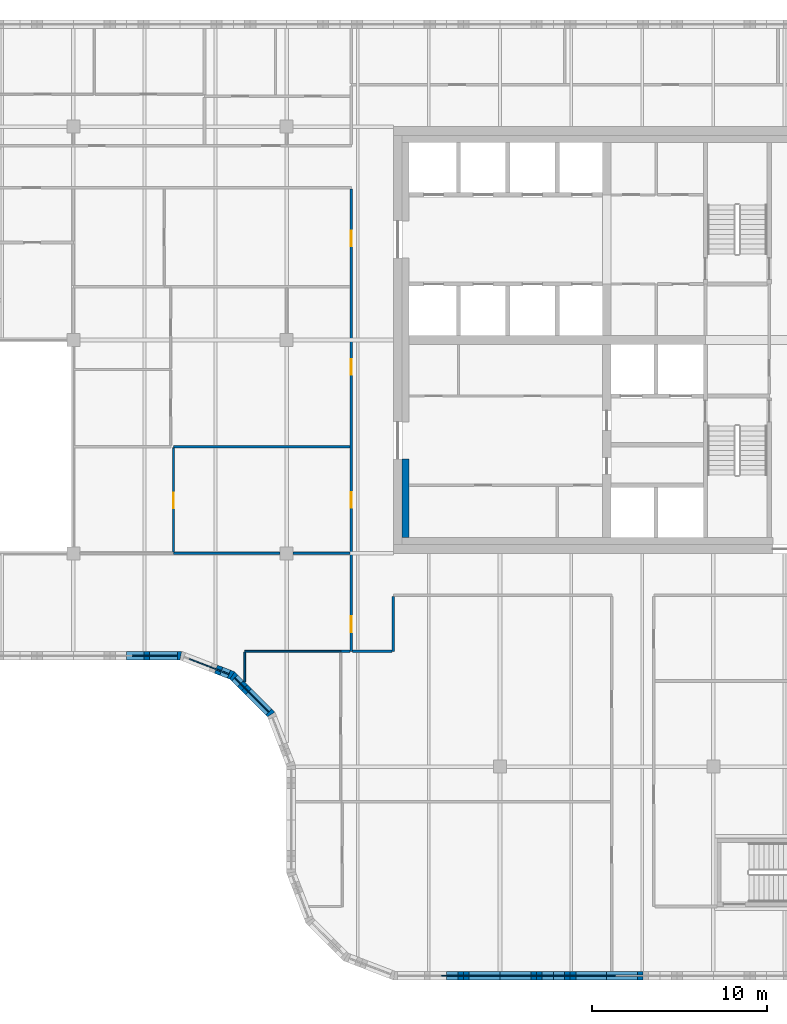
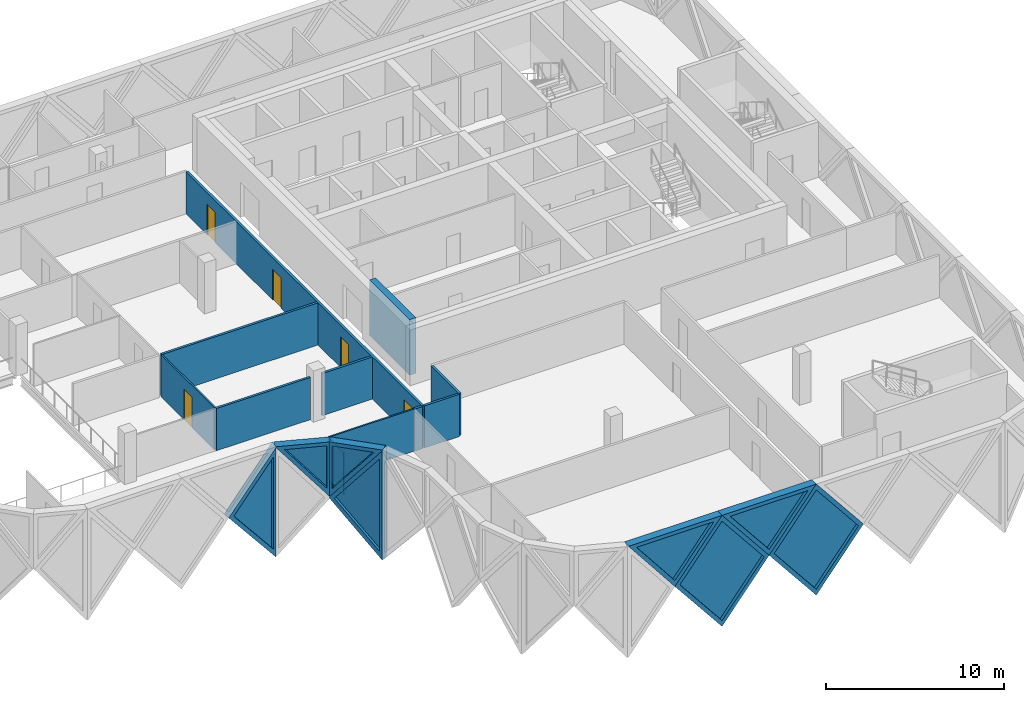
# One storey, part 5 of 15: 19 walls, 8 plates, 5 doors, 13 openings.
"""IFC4 building model written with IfcOpenShell, lengths in metres."""

from ifc_helpers import new_model, si_unit, direction, frame, frame_2d, origin, place, context, subcontext, project, spatial, polyline, rectangle, outline, extrude, faceted_brep, source, transform, mapped, material, layer, layer_set, type_object, element, fill, save


model = new_model("IFC4")

# Units and contexts
model_context = context("Model", 3, precision=1e-05, world=origin(), true_north=direction((0.0, 1.0)))
body_context = subcontext(model_context, "Body", "Model", "MODEL_VIEW")
ifc_project = project(units=[si_unit("LENGTHUNIT", "METRE"), si_unit("AREAUNIT", "SQUARE_METRE"), si_unit("VOLUMEUNIT", "CUBIC_METRE"), si_unit("PLANEANGLEUNIT", "RADIAN"), si_unit("MASSUNIT", "GRAM", prefix="KILO")], contexts=[model_context])

# Site, building, storey
site_placement = place(None, origin())
site = spatial("IfcSite", under=ifc_project, at=site_placement, CompositionType="ELEMENT")
building_placement = place(site_placement, origin())
building = spatial("IfcBuilding", under=site, at=building_placement, Name="Tessera Gate Towers", CompositionType="ELEMENT")
storey_placement = place(building_placement, frame((0.0, 0.0, 228.300048828125)))
storey = spatial("IfcBuildingStorey", under=building, at=storey_placement, Name="L57", CompositionType="ELEMENT", Elevation=228.300048828125)

# Wall
ifc_material_1 = material(Name="Concrete C50/60", Category="concrete")
ifc_layer_1 = layer(ifc_material_1, 0.39990234375)
ifc_layer_set_1 = layer_set([ifc_layer_1], Name="CORE WALL THICKENING 400")
wall_type_1 = type_object("IfcWallType", Name="CORE WALL THICKENING 400", PredefinedType="SOLIDWALL", material=ifc_layer_set_1)
wall_1_placement = place(storey_placement, frame((31.199951171875, 25.300048828125, 0.0), z_axis=(0.0, 0.0, 1.0), x_axis=(0.0, 1.0, 0.0)))
element("IfcWall", 1, at=wall_1_placement, inside=storey, type_object=wall_type_1, Name="Core wall thickening W L57", PredefinedType="SOLIDWALL", context=body_context, shape_type="SweptSolid", body=[
    extrude(rectangle(XDim=4.5, YDim=0.39990234375, at=frame_2d((2.25, 0.0))), origin(), (0.0, 0.0, 1.0), 3.800048828125),
])

# Wall, openings, doors
ifc_material_2 = material(Name="Gypsum board on steel studs, mineral wool", Category="steel")
ifc_layer_2 = layer(ifc_material_2, 0.14990234375)
ifc_layer_set_2 = layer_set([ifc_layer_2], Name="CORRIDOR WALL 150")
wall_type_2 = type_object("IfcWallType", Name="CORRIDOR WALL 150", PredefinedType="PARTITIONING", material=ifc_layer_set_2)
wall_2_placement = place(storey_placement, frame((28.10009765625, 18.800048828125, 0.0), z_axis=(0.0, 0.0, 1.0), x_axis=(0.0, 1.0, 0.0)))
wall_2 = element("IfcWall", 2, at=wall_2_placement, inside=storey, type_object=wall_type_2, Name="T1-L57-PW-014", PredefinedType="PARTITIONING", context=body_context, shape_type="SweptSolid", body=[
    extrude(rectangle(XDim=26.424072265625, YDim=0.14990234375, at=frame_2d((13.2119140625, 0.0))), origin(), (0.0, 0.0, 1.0), 2.887939453125),
])
shared_shape_1 = source(origin(), body_context, "Body", "SweptSolid", [
    extrude(rectangle(XDim=0.89990234375, YDim=2.10009765625, at=frame_2d((0.449951171875, 1.050048828125))), frame((0.0, 0.0849609375, 0.0), z_axis=(0.0, -1.0, 0.0), x_axis=(1.0, 0.0, 0.0)), (0.0, 0.0, 1.0), 0.169921875),
])
opening_1_placement = place(wall_2_placement, frame((1.10009765625, 0.0, 0.0)))
opening_1 = element("IfcOpeningElement", 3, at=opening_1_placement, cuts=wall_2, Name="Opening D890FD60-A20-01", PredefinedType="OPENING", context=body_context, shape_type="MappedRepresentation", body=[
    mapped(shared_shape_1, transform((0.0, 0.0, 0.0), scale=1.0)),
])
opening_2_placement = place(wall_2_placement, frame((23.15087890625, 0.0, 0.0)))
opening_2 = element("IfcOpeningElement", 4, at=opening_2_placement, cuts=wall_2, Name="Opening D890FD60-A20-02", PredefinedType="OPENING", context=body_context, shape_type="MappedRepresentation", body=[
    mapped(shared_shape_1, transform((0.0, 0.0, 0.0), scale=1.0)),
])
opening_3_placement = place(wall_2_placement, frame((8.199951171875, 0.0, 0.0)))
opening_3 = element("IfcOpeningElement", 5, at=opening_3_placement, cuts=wall_2, Name="Opening D890FD60-A20-04", PredefinedType="OPENING", context=body_context, shape_type="MappedRepresentation", body=[
    mapped(shared_shape_1, transform((0.0, 0.0, 0.0), scale=1.0)),
])
opening_4_placement = place(wall_2_placement, frame((15.800048828125, 0.0, 0.0)))
opening_4 = element("IfcOpeningElement", 6, at=opening_4_placement, cuts=wall_2, Name="Opening D890FD60-A20-07", PredefinedType="OPENING", context=body_context, shape_type="MappedRepresentation", body=[
    mapped(shared_shape_1, transform((0.0, 0.0, 0.0), scale=1.0)),
])
ifc_material_3 = material(Name="Timber door leaf in steel frame", Category="steel")
door_type_1 = type_object("IfcDoorType", Name="CORRIDOR DOOR 900 FD60", OperationType="NOTDEFINED", PredefinedType="DOOR", material=ifc_material_3)
shared_shape_2 = source(origin(), body_context, "Body", "SweptSolid", [
    extrude(rectangle(XDim=0.89990234375, YDim=2.10009765625, at=frame_2d((0.449951171875, 1.050048828125))), frame((0.0, 0.02490234375, 0.0), z_axis=(0.0, -1.0, 0.0), x_axis=(1.0, 0.0, 0.0)), (0.0, 0.0, 1.0), 0.050048828125),
])
door_1_placement = place(opening_1_placement, origin())
door_1 = element("IfcDoor", 7, at=door_1_placement, inside=storey, type_object=door_type_1, Name="T1-L57-PD-001", OperationType="SINGLE_SWING_LEFT", OverallHeight=2.10009765625, OverallWidth=0.89990234375, PredefinedType="DOOR", context=body_context, shape_type="MappedRepresentation", body=[
    mapped(shared_shape_2, transform((0.0, 0.0, 0.0), scale=1.0)),
])
fill(opening_1, door_1)
door_2_placement = place(opening_2_placement, origin())
door_2 = element("IfcDoor", 8, at=door_2_placement, inside=storey, type_object=door_type_1, Name="T1-L57-PD-011", OperationType="SINGLE_SWING_LEFT", OverallHeight=2.10009765625, OverallWidth=0.89990234375, PredefinedType="DOOR", context=body_context, shape_type="MappedRepresentation", body=[
    mapped(shared_shape_2, transform((0.0, 0.0, 0.0), scale=1.0)),
])
fill(opening_2, door_2)
door_3_placement = place(opening_3_placement, origin())
door_3 = element("IfcDoor", 9, at=door_3_placement, inside=storey, type_object=door_type_1, Name="T1-L57-PD-015", OperationType="SINGLE_SWING_LEFT", OverallHeight=2.10009765625, OverallWidth=0.89990234375, PredefinedType="DOOR", context=body_context, shape_type="MappedRepresentation", body=[
    mapped(shared_shape_2, transform((0.0, 0.0, 0.0), scale=1.0)),
])
fill(opening_3, door_3)
door_4_placement = place(opening_4_placement, origin())
door_4 = element("IfcDoor", 10, at=door_4_placement, inside=storey, type_object=door_type_1, Name="T1-L57-PD-022", OperationType="SINGLE_SWING_LEFT", OverallHeight=2.10009765625, OverallWidth=0.89990234375, PredefinedType="DOOR", context=body_context, shape_type="MappedRepresentation", body=[
    mapped(shared_shape_2, transform((0.0, 0.0, 0.0), scale=1.0)),
])
fill(opening_4, door_4)

# Walls
wall_3_placement = place(storey_placement, frame((28.176025390625, 18.800048828125, 0.0), z_axis=(0.0, 0.0, 1.0), x_axis=(1.0, 0.0, 0.0)))
element("IfcWall", 11, at=wall_3_placement, inside=storey, type_object=wall_type_2, Name="T1-L57-PW-015", PredefinedType="PARTITIONING", context=body_context, shape_type="SweptSolid", body=[
    extrude(rectangle(XDim=2.248046875, YDim=0.14990234375, at=frame_2d((1.1240234375, 0.0))), origin(), (0.0, 0.0, 1.0), 2.887939453125),
])
wall_4_placement = place(storey_placement, frame((30.5, 18.800048828125, 0.0), z_axis=(0.0, 0.0, 1.0), x_axis=(0.0, 1.0, 0.0)))
element("IfcWall", 12, at=wall_4_placement, inside=storey, type_object=wall_type_2, Name="T1-L57-PW-016", PredefinedType="PARTITIONING", context=body_context, shape_type="SweptSolid", body=[
    extrude(rectangle(XDim=3.1240234375, YDim=0.14990234375, at=frame_2d((1.56201171875, 0.0))), origin(), (0.0, 0.0, 1.0), 2.887939453125),
])
ifc_material_4 = material(Name="Glass", Category="glass")
ifc_layer_3 = layer(ifc_material_4, 0.10009765625)
ifc_layer_set_3 = layer_set([ifc_layer_3], Name="GLAZED PARTITION 100")
wall_type_3 = type_object("IfcWallType", Name="GLAZED PARTITION 100", PredefinedType="PARTITIONING", material=ifc_layer_set_3)
wall_5_placement = place(storey_placement, frame((22.0, 17.054931640625, 0.0), z_axis=(0.0, 0.0, 1.0), x_axis=(0.0, 1.0, 0.0)))
element("IfcWall", 13, at=wall_5_placement, inside=storey, type_object=wall_type_3, Name="T1-L57-PW-010", PredefinedType="PARTITIONING", context=body_context, shape_type="SweptSolid", body=[
    extrude(rectangle(XDim=1.694091796875, YDim=0.10009765625, at=frame_2d((0.84716796875, 0.0))), origin(), (0.0, 0.0, 1.0), 2.887939453125),
])
wall_6_placement = place(storey_placement, frame((22.0, 18.800048828125, 0.0), z_axis=(0.0, 0.0, 1.0), x_axis=(1.0, 0.0, 0.0)))
element("IfcWall", 14, at=wall_6_placement, inside=storey, type_object=wall_type_3, Name="T1-L57-PW-012", PredefinedType="PARTITIONING", context=body_context, shape_type="SweptSolid", body=[
    extrude(rectangle(XDim=5.4990234375, YDim=0.10009765625, at=frame_2d((2.74951171875, 0.0))), origin(), (0.0, 0.0, 1.0), 2.887939453125),
])

# Wall, opening, door
wall_7_placement = place(storey_placement, frame((17.925048828125, 24.47607421875, 0.0), z_axis=(0.0, 0.0, 1.0), x_axis=(0.0, 1.0, 0.0)))
wall_7 = element("IfcWall", 15, at=wall_7_placement, inside=storey, type_object=wall_type_3, Name="T1-L57-PW-025", PredefinedType="PARTITIONING", context=body_context, shape_type="SweptSolid", body=[
    extrude(rectangle(XDim=5.947998046875, YDim=0.10009765625, at=frame_2d((2.97412109375, 0.0))), origin(), (0.0, 0.0, 1.0), 2.887939453125),
])
shared_shape_3 = source(origin(), body_context, "Body", "SweptSolid", [
    extrude(rectangle(XDim=0.89990234375, YDim=2.10009765625, at=frame_2d((0.449951171875, 1.050048828125))), frame((0.0, 0.06005859375, 0.0), z_axis=(0.0, -1.0, 0.0), x_axis=(1.0, 0.0, 0.0)), (0.0, 0.0, 1.0), 0.1201171875),
])
opening_5_placement = place(wall_7_placement, frame((2.5, 0.0, 0.0)))
opening_5 = element("IfcOpeningElement", 16, at=opening_5_placement, cuts=wall_7, Name="Opening D690-A20-06", PredefinedType="OPENING", context=body_context, shape_type="MappedRepresentation", body=[
    mapped(shared_shape_3, transform((0.0, 0.0, 0.0), scale=1.0)),
])
ifc_material_5 = material(Name="Glass in aluminium frame", Category="aluminium")
door_type_2 = type_object("IfcDoorType", Name="GLAZED DOOR 900 NOT RATED", OperationType="NOTDEFINED", PredefinedType="DOOR", material=ifc_material_5)
door_5_placement = place(opening_5_placement, origin())
door_5 = element("IfcDoor", 17, at=door_5_placement, inside=storey, type_object=door_type_2, Name="T1-L57-PD-013", OperationType="SINGLE_SWING_LEFT", OverallHeight=2.10009765625, OverallWidth=0.89990234375, PredefinedType="DOOR", context=body_context, shape_type="MappedRepresentation", body=[
    mapped(shared_shape_2, transform((0.0, 0.0, 0.0), scale=1.0)),
])
fill(opening_5, door_5)

# Walls
ifc_material_6 = material(Name="Gypsum board on steel studs, mineral wool", Category="steel")
ifc_layer_4 = layer(ifc_material_6, 0.14990234375)
ifc_layer_set_4 = layer_set([ifc_layer_4], Name="TENANCY WALL 150")
wall_type_4 = type_object("IfcWallType", Name="TENANCY WALL 150", PredefinedType="PARTITIONING", material=ifc_layer_set_4)
wall_8_placement = place(storey_placement, frame((27.5, 18.800048828125, 0.0), z_axis=(0.0, 0.0, 1.0), x_axis=(1.0, 0.0, 0.0)))
element("IfcWall", 18, at=wall_8_placement, inside=storey, type_object=wall_type_4, Name="T1-L57-PW-013", PredefinedType="PARTITIONING", context=body_context, shape_type="SweptSolid", body=[
    extrude(rectangle(XDim=0.52392578125, YDim=0.14990234375, at=frame_2d((0.261962890625, 0.0))), origin(), (0.0, 0.0, 1.0), 2.887939453125),
])
wall_9_placement = place(storey_placement, frame((17.925048828125, 24.39990234375, 0.0), z_axis=(0.0, 0.0, 1.0), x_axis=(1.0, 0.0, 0.0)))
element("IfcWall", 19, at=wall_9_placement, inside=storey, type_object=wall_type_4, Name="T1-L57-PW-023", PredefinedType="PARTITIONING", context=body_context, shape_type="SweptSolid", body=[
    extrude(rectangle(XDim=6.098876953125, YDim=0.14990234375, at=frame_2d((3.04931640625, 0.0))), origin(), (0.0, 0.0, 1.0), 2.887939453125),
])
wall_10_placement = place(storey_placement, frame((24.77587890625, 24.39990234375, 0.0), z_axis=(0.0, 0.0, 1.0), x_axis=(1.0, 0.0, 0.0)))
element("IfcWall", 20, at=wall_10_placement, inside=storey, type_object=wall_type_4, Name="T1-L57-PW-024", PredefinedType="PARTITIONING", context=body_context, shape_type="SweptSolid", body=[
    extrude(rectangle(XDim=3.248046875, YDim=0.14990234375, at=frame_2d((1.6240234375, 0.0))), origin(), (0.0, 0.0, 1.0), 2.887939453125),
])
wall_11_placement = place(storey_placement, frame((17.925048828125, 30.5, 0.0), z_axis=(0.0, 0.0, 1.0), x_axis=(1.0, 0.0, 0.0)))
element("IfcWall", 21, at=wall_11_placement, inside=storey, type_object=wall_type_4, Name="T1-L57-PW-027", PredefinedType="PARTITIONING", context=body_context, shape_type="SweptSolid", body=[
    extrude(rectangle(XDim=10.098876953125, YDim=0.14990234375, at=frame_2d((5.04931640625, 0.0))), origin(), (0.0, 0.0, 1.0), 2.887939453125),
])

# Wall, opening, plate
ifc_material_7 = material(Name="Precast concrete C60/75 white", Category="concrete")
ifc_layer_5 = layer(ifc_material_7, 0.5)
ifc_layer_set_5 = layer_set([ifc_layer_5], Name="TS1 tessera")
wall_type_5 = type_object("IfcWallType", Name="TS1 tessera", PredefinedType="SOLIDWALL", material=ifc_layer_set_5)
shared_shape_4 = source(origin(), body_context, "Body", "Brep", [
    faceted_brep([(3.050048828125, -0.25, 0.0), (6.099853515625, -0.25, 3.7998046875), (6.099853515625, -0.25, 3.80029296875), (3.050048828125, -0.25, 7.60009765625), (0.0, -0.25, 3.800048828125), (0.0, 0.25, 3.800048828125), (3.050048828125, 0.25, 7.60009765625), (6.099853515625, 0.25, 3.80029296875), (6.099853515625, 0.25, 3.7998046875), (3.050048828125, 0.25, 0.0)], [[[0, 1, 2, 3, 4]], [[5, 6, 7, 8, 9]], [[9, 8, 1, 0]], [[7, 6, 3, 2]], [[6, 5, 4, 3]], [[5, 9, 0, 4]], [[1, 8, 7, 2]]]),
])
wall_12_placement = place(storey_placement, frame((33.550048828125, 0.25, -3.800048828125), z_axis=(0.0, 0.0, 1.0), x_axis=(1.0, 0.0, 0.0)))
wall_12 = element("IfcWall", 22, at=wall_12_placement, inside=storey, type_object=wall_type_5, Name="Precast tessera T1 TS1-1012", PredefinedType="SOLIDWALL", context=body_context, shape_type="MappedRepresentation", body=[
    mapped(shared_shape_4, transform((0.0, 0.0, 0.0), scale=1.0)),
])
shared_shape_5 = source(origin(), body_context, "Body", "SweptSolid", [
    extrude(outline(polyline([(3.050048828125, 0.3994140625), (5.779541015625, 3.800048828125), (3.050048828125, 7.20068359375), (0.320556640625, 3.800048828125), (3.050048828125, 0.3994140625)])), frame((0.0, 0.260009765625, 0.0), z_axis=(0.0, -1.0, 0.0), x_axis=(1.0, 0.0, 0.0)), (0.0, 0.0, 1.0), 0.52001953125),
])
opening_6_placement = place(wall_12_placement, origin())
opening_6 = element("IfcOpeningElement", 23, at=opening_6_placement, cuts=wall_12, Name="Opening T1-PL2-2070", PredefinedType="OPENING", context=body_context, shape_type="MappedRepresentation", body=[
    mapped(shared_shape_5, transform((0.0, 0.0, 0.0), scale=1.0)),
])
ifc_material_8 = material(Name="Low-e laminated glass", Category="glass")
ifc_layer_6 = layer(ifc_material_8, 0.06005859375)
ifc_layer_set_6 = layer_set([ifc_layer_6], Name="PL2 rhombic pane")
plate_type_1 = type_object("IfcPlateType", Name="PL2 rhombic pane", PredefinedType="SHEET", material=ifc_layer_set_6)
shared_shape_6 = source(origin(), body_context, "Body", "SweptSolid", [
    extrude(outline(polyline([(3.050048828125, 0.3994140625), (5.779541015625, 3.800048828125), (3.050048828125, 7.20068359375), (0.320556640625, 3.800048828125), (3.050048828125, 0.3994140625)])), frame((0.0, 0.030029296875, 0.0), z_axis=(0.0, -1.0, 0.0), x_axis=(1.0, 0.0, 0.0)), (0.0, 0.0, 1.0), 0.06005859375),
])
plate_1_placement = place(opening_6_placement, origin())
plate_1 = element("IfcPlate", 24, at=plate_1_placement, inside=storey, type_object=plate_type_1, Name="Glass pane T1 PL2-2070", PredefinedType="SHEET", context=body_context, shape_type="MappedRepresentation", body=[
    mapped(shared_shape_6, transform((0.0, 0.0, 0.0), scale=1.0)),
])
fill(opening_6, plate_1)

shared_shape_7 = source(origin(), body_context, "Body", "SweptSolid", [
    extrude(outline(polyline([(3.050048828125, 0.0), (6.10009765625, 3.800048828125), (3.050048828125, 7.60009765625), (0.0, 3.800048828125), (3.050048828125, 0.0)])), frame((0.0, 0.25, 0.0), z_axis=(0.0, -1.0, 0.0), x_axis=(1.0, 0.0, 0.0)), (0.0, 0.0, 1.0), 0.5),
])
wall_13_placement = place(storey_placement, frame((39.64990234375, 0.25, -3.800048828125), z_axis=(0.0, 0.0, 1.0), x_axis=(1.0, 0.0, 0.0)))
wall_13 = element("IfcWall", 25, at=wall_13_placement, inside=storey, type_object=wall_type_5, Name="Precast tessera T1 TS1-1013", PredefinedType="SOLIDWALL", context=body_context, shape_type="MappedRepresentation", body=[
    mapped(shared_shape_7, transform((0.0, 0.0, 0.0), scale=1.0)),
])
opening_7_placement = place(wall_13_placement, origin())
opening_7 = element("IfcOpeningElement", 26, at=opening_7_placement, cuts=wall_13, Name="Opening T1-PL2-2071", PredefinedType="OPENING", context=body_context, shape_type="MappedRepresentation", body=[
    mapped(shared_shape_5, transform((0.0, 0.0, 0.0), scale=1.0)),
])
plate_2_placement = place(opening_7_placement, origin())
plate_2 = element("IfcPlate", 27, at=plate_2_placement, inside=storey, type_object=plate_type_1, Name="Glass pane T1 PL2-2071", PredefinedType="SHEET", context=body_context, shape_type="MappedRepresentation", body=[
    mapped(shared_shape_6, transform((0.0, 0.0, 0.0), scale=1.0)),
])
fill(opening_7, plate_2)

ifc_material_9 = material(Name="Precast concrete C60/75 white", Category="concrete")
ifc_layer_7 = layer(ifc_material_9, 0.5)
ifc_layer_set_7 = layer_set([ifc_layer_7], Name="TS3 corner tessera")
wall_type_6 = type_object("IfcWallType", Name="TS3 corner tessera", PredefinedType="SOLIDWALL", material=ifc_layer_set_7)
shared_shape_8 = source(origin(), body_context, "Body", "Brep", [
    faceted_brep([(3.050048828125, -0.25, 7.543212890625), (0.0, -0.25, 3.800048828125), (3.050048828125, -0.25, 0.056884765625), (0.0, 0.25, 3.800048828125), (3.096435546875, 0.25, 7.60009765625), (3.14306640625, 0.25, 7.543701171875), (3.14306640625, 0.25, 0.056396484375), (3.096435546875, 0.25, 0.0), (3.096435546875, -0.00048828125, 0.0), (3.096435546875, -0.00048828125, 7.60009765625)], [[[0, 1, 2]], [[3, 4, 5, 6, 7]], [[7, 6, 8]], [[5, 4, 9]], [[4, 3, 1, 0, 9]], [[3, 7, 8, 2, 1]], [[2, 8, 6, 5, 9, 0]]]),
])
wall_14_placement = place(storey_placement, frame((15.25, 18.550048828125, -3.800048828125), z_axis=(0.0, 0.0, 1.0), x_axis=(1.0, 0.0, 0.0)))
wall_14 = element("IfcWall", 28, at=wall_14_placement, inside=storey, type_object=wall_type_6, Name="Precast corner tessera T1 TS3-1339", PredefinedType="SOLIDWALL", context=body_context, shape_type="MappedRepresentation", body=[
    mapped(shared_shape_8, transform((0.0, 0.0, 0.0), scale=1.0)),
])
shared_shape_9 = source(origin(), body_context, "Body", "SweptSolid", [
    extrude(outline(polyline([(2.896484375, 6.958740234375), (0.322509765625, 3.800048828125), (2.896484375, 0.64111328125), (2.896484375, 6.958740234375)])), frame((0.0, 0.260009765625, 0.0), z_axis=(0.0, -1.0, 0.0), x_axis=(1.0, 0.0, 0.0)), (0.0, 0.0, 1.0), 0.52001953125),
])
opening_8_placement = place(wall_14_placement, origin())
opening_8 = element("IfcOpeningElement", 29, at=opening_8_placement, cuts=wall_14, Name="Opening T1-PL2-2108", PredefinedType="OPENING", context=body_context, shape_type="MappedRepresentation", body=[
    mapped(shared_shape_9, transform((0.0, 0.0, 0.0), scale=1.0)),
])
shared_shape_10 = source(origin(), body_context, "Body", "SweptSolid", [
    extrude(outline(polyline([(2.896484375, 6.958740234375), (0.322509765625, 3.800048828125), (2.896484375, 0.64111328125), (2.896484375, 6.958740234375)])), frame((0.0, 0.030029296875, 0.0), z_axis=(0.0, -1.0, 0.0), x_axis=(1.0, 0.0, 0.0)), (0.0, 0.0, 1.0), 0.06005859375),
])
plate_3_placement = place(opening_8_placement, origin())
plate_3 = element("IfcPlate", 30, at=plate_3_placement, inside=storey, type_object=plate_type_1, Name="Glass pane T1 PL2-2108", PredefinedType="SHEET", context=body_context, shape_type="MappedRepresentation", body=[
    mapped(shared_shape_10, transform((0.0, 0.0, 0.0), scale=1.0)),
])
fill(opening_8, plate_3)

shared_shape_11 = source(origin(), body_context, "Body", "Brep", [
    faceted_brep([(3.10302734375, -0.25, 7.536376953125), (0.052978515625, -0.25, 3.86376953125), (0.052978515625, -0.25, 3.736328125), (3.10302734375, -0.25, 0.063720703125), (0.0, 0.25, 3.800048828125), (3.15576171875, 0.25, 7.60009765625), (3.208740234375, 0.25, 7.5361328125), (3.208740234375, 0.25, 0.06396484375), (3.15576171875, 0.25, 0.0), (3.15576171875, -0.00048828125, 0.0), (3.15576171875, -0.00048828125, 7.60009765625), (0.0, 0.0, 3.800048828125)], [[[0, 1, 2, 3]], [[4, 5, 6, 7, 8]], [[8, 7, 9]], [[6, 5, 10]], [[5, 4, 11, 1, 0, 10]], [[4, 8, 9, 3, 2, 11]], [[11, 2, 1]], [[3, 9, 7, 6, 10, 0]]]),
])
wall_15_placement = place(storey_placement, frame((21.284912109375, 17.41650390625, -3.800048828125), z_axis=(0.0, 0.0, 1.0), x_axis=(0.707106781187, -0.707106781187, 0.0)))
wall_15 = element("IfcWall", 31, at=wall_15_placement, inside=storey, type_object=wall_type_6, Name="Precast corner tessera T1 TS3-1341", PredefinedType="SOLIDWALL", context=body_context, shape_type="MappedRepresentation", body=[
    mapped(shared_shape_11, transform((0.0, 0.0, 0.0), scale=1.0)),
])
shared_shape_12 = source(origin(), body_context, "Body", "SweptSolid", [
    extrude(outline(polyline([(2.955810546875, 6.9677734375), (0.324951171875, 3.800048828125), (2.955810546875, 0.632080078125), (2.955810546875, 6.9677734375)])), frame((0.0, 0.260009765625, 0.0), z_axis=(0.0, -1.0, 0.0), x_axis=(1.0, 0.0, 0.0)), (0.0, 0.0, 1.0), 0.52001953125),
])
opening_9_placement = place(wall_15_placement, origin())
opening_9 = element("IfcOpeningElement", 32, at=opening_9_placement, cuts=wall_15, Name="Opening T1-PL2-2110", PredefinedType="OPENING", context=body_context, shape_type="MappedRepresentation", body=[
    mapped(shared_shape_12, transform((0.0, 0.0, 0.0), scale=1.0)),
])
shared_shape_13 = source(origin(), body_context, "Body", "SweptSolid", [
    extrude(outline(polyline([(2.955810546875, 6.9677734375), (0.324951171875, 3.800048828125), (2.955810546875, 0.632080078125), (2.955810546875, 6.9677734375)])), frame((0.0, 0.030029296875, 0.0), z_axis=(0.0, -1.0, 0.0), x_axis=(1.0, 0.0, 0.0)), (0.0, 0.0, 1.0), 0.06005859375),
])
plate_4_placement = place(opening_9_placement, origin())
plate_4 = element("IfcPlate", 33, at=plate_4_placement, inside=storey, type_object=plate_type_1, Name="Glass pane T1 PL2-2110", PredefinedType="SHEET", context=body_context, shape_type="MappedRepresentation", body=[
    mapped(shared_shape_13, transform((0.0, 0.0, 0.0), scale=1.0)),
])
fill(opening_9, plate_4)

ifc_material_10 = material(Name="Precast concrete C60/75 white", Category="concrete")
ifc_layer_8 = layer(ifc_material_10, 0.5)
ifc_layer_set_8 = layer_set([ifc_layer_8], Name="TS2 half tessera")
wall_type_7 = type_object("IfcWallType", Name="TS2 half tessera", PredefinedType="SOLIDWALL", material=ifc_layer_set_8)
shared_shape_14 = source(origin(), body_context, "Body", "Brep", [
    faceted_brep([(3.050048828125, -0.25, 0.0), (6.099853515625, -0.25, 3.7998046875), (6.099853515625, -0.25, 3.800048828125), (0.0, -0.25, 3.800048828125), (0.0, 0.25, 3.800048828125), (6.099853515625, 0.25, 3.800048828125), (6.099853515625, 0.25, 3.7998046875), (3.050048828125, 0.25, 0.0)], [[[0, 1, 2, 3]], [[4, 5, 6, 7]], [[7, 6, 1, 0]], [[5, 4, 3, 2]], [[4, 7, 0, 3]], [[1, 6, 5, 2]]]),
])
wall_16_placement = place(storey_placement, frame((36.60009765625, 0.25, 0.0), z_axis=(0.0, 0.0, 1.0), x_axis=(1.0, 0.0, 0.0)))
wall_16 = element("IfcWall", 34, at=wall_16_placement, inside=storey, type_object=wall_type_7, Name="Precast half tessera T1 TS2-0254", PredefinedType="SOLIDWALL", context=body_context, shape_type="MappedRepresentation", body=[
    mapped(shared_shape_14, transform((0.0, 0.0, 0.0), scale=1.0)),
])
shared_shape_15 = source(origin(), body_context, "Body", "SweptSolid", [
    extrude(outline(polyline([(3.050048828125, 0.3994140625), (5.578857421875, 3.550048828125), (0.521240234375, 3.550048828125), (3.050048828125, 0.3994140625)])), frame((0.0, 0.260009765625, 0.0), z_axis=(0.0, -1.0, 0.0), x_axis=(1.0, 0.0, 0.0)), (0.0, 0.0, 1.0), 0.52001953125),
])
opening_10_placement = place(wall_16_placement, origin())
opening_10 = element("IfcOpeningElement", 35, at=opening_10_placement, cuts=wall_16, Name="Opening T1-PL1-0518", PredefinedType="OPENING", context=body_context, shape_type="MappedRepresentation", body=[
    mapped(shared_shape_15, transform((0.0, 0.0, 0.0), scale=1.0)),
])
ifc_material_11 = material(Name="Low-e laminated glass", Category="glass")
ifc_layer_9 = layer(ifc_material_11, 0.06005859375)
ifc_layer_set_9 = layer_set([ifc_layer_9], Name="PL1 triangular pane")
plate_type_2 = type_object("IfcPlateType", Name="PL1 triangular pane", PredefinedType="SHEET", material=ifc_layer_set_9)
shared_shape_16 = source(origin(), body_context, "Body", "SweptSolid", [
    extrude(outline(polyline([(3.050048828125, 0.3994140625), (5.578857421875, 3.550048828125), (0.521240234375, 3.550048828125), (3.050048828125, 0.3994140625)])), frame((0.0, 0.030029296875, 0.0), z_axis=(0.0, -1.0, 0.0), x_axis=(1.0, 0.0, 0.0)), (0.0, 0.0, 1.0), 0.06005859375),
])
plate_5_placement = place(opening_10_placement, origin())
plate_5 = element("IfcPlate", 36, at=plate_5_placement, inside=storey, type_object=plate_type_2, Name="Glass pane T1 PL1-0518", PredefinedType="SHEET", context=body_context, shape_type="MappedRepresentation", body=[
    mapped(shared_shape_16, transform((0.0, 0.0, 0.0), scale=1.0)),
])
fill(opening_10, plate_5)

shared_shape_17 = source(origin(), body_context, "Body", "Brep", [
    faceted_brep([(3.00341796875, -0.25, 0.0), (6.053466796875, -0.25, 3.800048828125), (0.0, -0.25, 3.800048828125), (0.046630859375, 0.25, 3.800048828125), (6.053466796875, 0.25, 3.800048828125), (3.00341796875, 0.25, 0.0), (0.046630859375, 0.25, 3.7412109375), (0.0, 0.0, 3.800048828125)], [[[0, 1, 2]], [[3, 4, 5, 6]], [[5, 4, 1, 0]], [[4, 3, 7, 2, 1]], [[6, 5, 0, 2, 7]], [[6, 7, 3]]]),
])
wall_17_placement = place(storey_placement, frame((30.546630859375, 0.25, 0.0), z_axis=(0.0, 0.0, 1.0), x_axis=(1.0, 0.0, 0.0)))
wall_17 = element("IfcWall", 37, at=wall_17_placement, inside=storey, type_object=wall_type_7, Name="Precast half tessera T1 TS2-0253", PredefinedType="SOLIDWALL", context=body_context, shape_type="MappedRepresentation", body=[
    mapped(shared_shape_17, transform((0.0, 0.0, 0.0), scale=1.0)),
])
shared_shape_18 = source(origin(), body_context, "Body", "SweptSolid", [
    extrude(outline(polyline([(3.0048828125, 0.401123046875), (5.5322265625, 3.550048828125), (0.516357421875, 3.550048828125), (3.0048828125, 0.401123046875)])), frame((0.0, 0.260009765625, 0.0), z_axis=(0.0, -1.0, 0.0), x_axis=(1.0, 0.0, 0.0)), (0.0, 0.0, 1.0), 0.52001953125),
])
opening_11_placement = place(wall_17_placement, origin())
opening_11 = element("IfcOpeningElement", 38, at=opening_11_placement, cuts=wall_17, Name="Opening T1-PL1-0517", PredefinedType="OPENING", context=body_context, shape_type="MappedRepresentation", body=[
    mapped(shared_shape_18, transform((0.0, 0.0, 0.0), scale=1.0)),
])
shared_shape_19 = source(origin(), body_context, "Body", "SweptSolid", [
    extrude(outline(polyline([(3.0048828125, 0.401123046875), (5.5322265625, 3.550048828125), (0.516357421875, 3.550048828125), (3.0048828125, 0.401123046875)])), frame((0.0, 0.030029296875, 0.0), z_axis=(0.0, -1.0, 0.0), x_axis=(1.0, 0.0, 0.0)), (0.0, 0.0, 1.0), 0.06005859375),
])
plate_6_placement = place(opening_11_placement, origin())
plate_6 = element("IfcPlate", 39, at=plate_6_placement, inside=storey, type_object=plate_type_2, Name="Glass pane T1 PL1-0517", PredefinedType="SHEET", context=body_context, shape_type="MappedRepresentation", body=[
    mapped(shared_shape_19, transform((0.0, 0.0, 0.0), scale=1.0)),
])
fill(opening_11, plate_6)

shared_shape_20 = source(origin(), body_context, "Body", "Brep", [
    faceted_brep([(3.096435546875, -0.25, 3.800048828125), (0.046630859375, -0.25, 3.800048828125), (0.046630859375, -0.25, 3.743896484375), (3.096435546875, -0.25, 0.063720703125), (0.0, 0.25, 3.800048828125), (3.202392578125, 0.25, 3.800048828125), (3.202392578125, 0.25, 0.063720703125), (3.1494140625, 0.25, 0.0), (3.1494140625, -0.000244140625, 0.0), (0.0, 0.0, 3.800048828125)], [[[0, 1, 2, 3]], [[4, 5, 6, 7]], [[7, 6, 8]], [[5, 4, 9, 1, 0]], [[4, 7, 8, 3, 2, 9]], [[2, 1, 9]], [[3, 8, 6, 5, 0]]]),
])
wall_18_placement = place(storey_placement, frame((18.346435546875, 18.550048828125, 0.0), z_axis=(0.0, 0.0, 1.0), x_axis=(0.932985567668, -0.359913782069, 0.0)))
wall_18 = element("IfcWall", 40, at=wall_18_placement, inside=storey, type_object=wall_type_6, Name="Precast corner tessera T1 TS3-1361", PredefinedType="SOLIDWALL", context=body_context, shape_type="MappedRepresentation", body=[
    mapped(shared_shape_20, transform((0.0, 0.0, 0.0), scale=1.0)),
])
shared_shape_21 = source(origin(), body_context, "Body", "SweptSolid", [
    extrude(outline(polyline([(2.949462890625, 3.550048828125), (0.531982421875, 3.550048828125), (2.949462890625, 0.633056640625), (2.949462890625, 3.550048828125)])), frame((0.0, 0.260009765625, 0.0), z_axis=(0.0, -1.0, 0.0), x_axis=(1.0, 0.0, 0.0)), (0.0, 0.0, 1.0), 0.52001953125),
])
opening_12_placement = place(wall_18_placement, origin())
opening_12 = element("IfcOpeningElement", 41, at=opening_12_placement, cuts=wall_18, Name="Opening T1-PL1-0556", PredefinedType="OPENING", context=body_context, shape_type="MappedRepresentation", body=[
    mapped(shared_shape_21, transform((0.0, 0.0, 0.0), scale=1.0)),
])
shared_shape_22 = source(origin(), body_context, "Body", "SweptSolid", [
    extrude(outline(polyline([(2.949462890625, 3.550048828125), (0.531982421875, 3.550048828125), (2.949462890625, 0.633056640625), (2.949462890625, 3.550048828125)])), frame((0.0, 0.030029296875, 0.0), z_axis=(0.0, -1.0, 0.0), x_axis=(1.0, 0.0, 0.0)), (0.0, 0.0, 1.0), 0.06005859375),
])
plate_7_placement = place(opening_12_placement, origin())
plate_7 = element("IfcPlate", 42, at=plate_7_placement, inside=storey, type_object=plate_type_2, Name="Glass pane T1 PL1-0556", PredefinedType="SHEET", context=body_context, shape_type="MappedRepresentation", body=[
    mapped(shared_shape_22, transform((0.0, 0.0, 0.0), scale=1.0)),
])
fill(opening_12, plate_7)

shared_shape_23 = source(origin(), body_context, "Body", "Brep", [
    faceted_brep([(0.10595703125, -0.25, 0.063720703125), (3.156005859375, -0.25, 3.736328125), (3.156005859375, -0.25, 3.800048828125), (0.10595703125, -0.25, 3.800048828125), (0.0, 0.25, 3.800048828125), (3.208740234375, 0.25, 3.800048828125), (0.052978515625, 0.25, 0.0), (0.0, 0.25, 0.06396484375), (3.208740234375, -0.00048828125, 3.800048828125), (0.052978515625, 0.0, 0.0)], [[[0, 1, 2, 3]], [[4, 5, 6, 7]], [[6, 5, 8, 1, 0, 9]], [[5, 4, 3, 2, 8]], [[7, 6, 9]], [[7, 9, 0, 3, 4]], [[1, 8, 2]]]),
])
wall_19_placement = place(storey_placement, frame((21.24755859375, 17.453857421875, 0.0), z_axis=(0.0, 0.0, 1.0), x_axis=(0.707106781187, -0.707106781187, 0.0)))
wall_19 = element("IfcWall", 43, at=wall_19_placement, inside=storey, type_object=wall_type_6, Name="Precast corner tessera T1 TS3-1362", PredefinedType="SOLIDWALL", context=body_context, shape_type="MappedRepresentation", body=[
    mapped(shared_shape_23, transform((0.0, 0.0, 0.0), scale=1.0)),
])
shared_shape_24 = source(origin(), body_context, "Body", "SweptSolid", [
    extrude(outline(polyline([(0.2529296875, 0.632080078125), (2.67626953125, 3.550048828125), (0.2529296875, 3.550048828125), (0.2529296875, 0.632080078125)])), frame((0.0, 0.260009765625, 0.0), z_axis=(0.0, -1.0, 0.0), x_axis=(1.0, 0.0, 0.0)), (0.0, 0.0, 1.0), 0.52001953125),
])
opening_13_placement = place(wall_19_placement, origin())
opening_13 = element("IfcOpeningElement", 44, at=opening_13_placement, cuts=wall_19, Name="Opening T1-PL1-0557", PredefinedType="OPENING", context=body_context, shape_type="MappedRepresentation", body=[
    mapped(shared_shape_24, transform((0.0, 0.0, 0.0), scale=1.0)),
])
shared_shape_25 = source(origin(), body_context, "Body", "SweptSolid", [
    extrude(outline(polyline([(0.2529296875, 0.632080078125), (2.67626953125, 3.550048828125), (0.2529296875, 3.550048828125), (0.2529296875, 0.632080078125)])), frame((0.0, 0.030029296875, 0.0), z_axis=(0.0, -1.0, 0.0), x_axis=(1.0, 0.0, 0.0)), (0.0, 0.0, 1.0), 0.06005859375),
])
plate_8_placement = place(opening_13_placement, origin())
plate_8 = element("IfcPlate", 45, at=plate_8_placement, inside=storey, type_object=plate_type_2, Name="Glass pane T1 PL1-0557", PredefinedType="SHEET", context=body_context, shape_type="MappedRepresentation", body=[
    mapped(shared_shape_25, transform((0.0, 0.0, 0.0), scale=1.0)),
])
fill(opening_13, plate_8)

save(model, "model.ifc")
